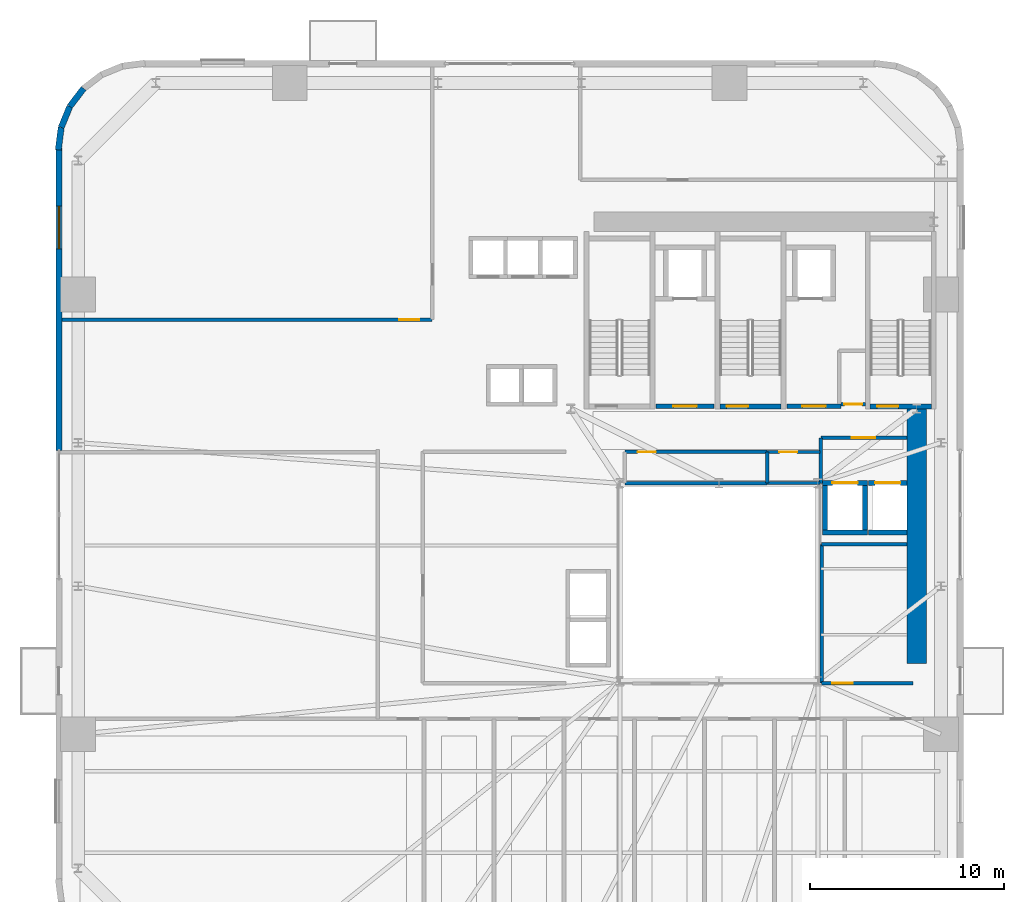
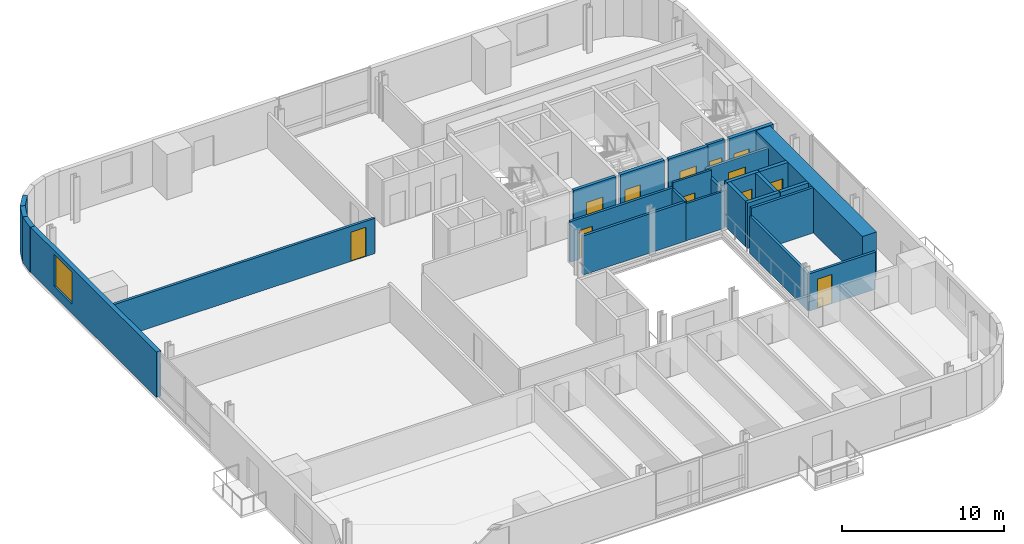
# One storey, part 7 of 12: 27 walls, 12 doors, 1 window, 13 openings.
"""IFC4 building model written with IfcOpenShell, lengths in metres."""

import ifcopenshell
import ifcopenshell.guid

model = None  # the IFC model being written
_history = None  # IfcOwnerHistory: only IFC2X3 demands one
_inside = {}  # id of a spatial element -> (the spatial element, [elements in it])
_under = {}  # id of a project, library or spatial element -> (it, [spatial elements below it])
_declared = {}  # id of a project -> (the project, [libraries it declares])
_typed = {}  # id of a type object -> (the type object, [elements of that type])
_made_of = {}  # id of a material, layer set ... -> (it, [elements and type objects made of it])


def new_model(schema):
    """Start an empty IFC model of exactly this schema.

    Asked for "IFC4X3", IfcOpenShell would pick the latest addendum, in which some entities
    have other attributes; the version numbers below select the first issue.
    IFC2X3 requires an IfcOwnerHistory on every rooted entity: one is made here for all.
    """
    global model, _history
    if schema == "IFC4X3":
        model = ifcopenshell.file(schema_version=(4, 3, 0, 0))
    else:
        model = ifcopenshell.file(schema=schema)
    _inside.clear()
    _under.clear()
    _declared.clear()
    _typed.clear()
    _made_of.clear()
    _history = None
    if model.schema == "IFC2X3":
        org = make("IfcOrganization", Name="unknown")
        user = make(
            "IfcPersonAndOrganization",
            ThePerson=make("IfcPerson", FamilyName="unknown"),
            TheOrganization=org,
        )
        app = make(
            "IfcApplication",
            ApplicationDeveloper=org,
            Version="unknown",
            ApplicationFullName="unknown",
            ApplicationIdentifier="unknown",
        )
        _history = make(
            "IfcOwnerHistory",
            OwningUser=user,
            OwningApplication=app,
            ChangeAction="ADDED",
            CreationDate=0,
        )
    return model


def make(cls, **values):
    """One entity of the class cls with the attributes given. An attribute that is None is left unset."""
    return model.create_entity(
        cls, **{name: value for name, value in values.items() if value is not None}
    )


def rooted(cls, **values):
    """An entity with a GlobalId (a new one), such as an element, a storey or a relation."""
    return make(cls, GlobalId=ifcopenshell.guid.new(), OwnerHistory=_history, **values)


def si_unit(unit_type, name, prefix=None):
    """IfcSIUnit, for example si_unit("LENGTHUNIT", "METRE", prefix="MILLI")."""
    return make("IfcSIUnit", UnitType=unit_type, Prefix=prefix, Name=name)


def assignment(units):
    """IfcUnitAssignment: the units of a project."""
    return None if units is None else make("IfcUnitAssignment", Units=units)


def point(xyz):
    """IfcCartesianPoint."""
    return None if xyz is None else make("IfcCartesianPoint", Coordinates=xyz)


def direction(xyz):
    """IfcDirection."""
    return None if xyz is None else make("IfcDirection", DirectionRatios=xyz)


def frame(location, z_axis=None, x_axis=None):
    """IfcAxis2Placement3D, a coordinate frame: its origin and axes. An axis left out is left unset."""
    return make(
        "IfcAxis2Placement3D",
        Location=point(location),
        Axis=direction(z_axis),
        RefDirection=direction(x_axis),
    )


def frame_2d(location, x_axis=None):
    """IfcAxis2Placement2D, a coordinate frame in the plane: its origin and x axis."""
    return make(
        "IfcAxis2Placement2D", Location=point(location), RefDirection=direction(x_axis)
    )


def origin():
    """The frame at (0, 0, 0) with its axes left unset."""
    return frame((0.0, 0.0, 0.0))


def place(relative_to, where):
    """IfcLocalPlacement: puts the frame where relative to a parent placement (None: the world)."""
    return make(
        "IfcLocalPlacement", PlacementRelTo=relative_to, RelativePlacement=where
    )


def context(
    kind, dimensions, precision=None, world=None, true_north=None, identifier=None
):
    """IfcGeometricRepresentationContext, for example the 3D "Model" context."""
    return make(
        "IfcGeometricRepresentationContext",
        ContextIdentifier=identifier,
        ContextType=kind,
        CoordinateSpaceDimension=dimensions,
        Precision=precision,
        WorldCoordinateSystem=world,
        TrueNorth=true_north,
    )


def subcontext(parent, identifier, kind, view, scale=None):
    """IfcGeometricRepresentationSubContext, for example "Body" below "Model"."""
    return make(
        "IfcGeometricRepresentationSubContext",
        ContextIdentifier=identifier,
        ContextType=kind,
        ParentContext=parent,
        TargetScale=scale,
        TargetView=view,
    )


def project(units=None, contexts=None):
    """IfcProject with its units and contexts."""
    return rooted(
        "IfcProject",
        Name="project",
        RepresentationContexts=contexts,
        UnitsInContext=assignment(units),
    )


def spatial(cls, under=None, at=None, **own):
    """A site, building, storey or space (cls), placed at a placement, below another one or the project."""
    s = rooted(cls, ObjectPlacement=at, **own)
    if under is not None:
        _under.setdefault(under.id(), (under, []))[1].append(s)
    return s


def profile(cls, at=None, kind="AREA", **sizes):
    """A parametric profile (cls). Its sizes go by their IFC names, for example OverallWidth=200.0."""
    return make(cls, ProfileType=kind, Position=at, **sizes)


def rectangle(**sizes):
    """IfcRectangleProfileDef."""
    return profile("IfcRectangleProfileDef", **sizes)


def extrude(swept, where, along, depth):
    """IfcExtrudedAreaSolid: the profile swept, set in the frame where, extruded along a direction by depth."""
    return make(
        "IfcExtrudedAreaSolid",
        SweptArea=swept,
        Position=where,
        ExtrudedDirection=direction(along),
        Depth=depth,
    )


def shape(context_of_items, identifier, shape_type, items):
    """IfcShapeRepresentation: the items that make up one representation, for example the "Body"."""
    return make(
        "IfcShapeRepresentation",
        ContextOfItems=context_of_items,
        RepresentationIdentifier=identifier,
        RepresentationType=shape_type,
        Items=items,
    )


def source(mapping_origin, context_of_items, identifier, shape_type, items):
    """IfcRepresentationMap: a shape defined once, which mapped items show again and again."""
    return make(
        "IfcRepresentationMap",
        MappingOrigin=mapping_origin,
        MappedRepresentation=shape(context_of_items, identifier, shape_type, items),
    )


def transform(
    local_origin,
    x_axis=None,
    y_axis=None,
    z_axis=None,
    scale=None,
    scale2=None,
    scale3=None,
    uniform=True,
):
    """IfcCartesianTransformationOperator3D, or its non-uniform kind. x_axis, y_axis, z_axis: its Axis1, 2, 3."""
    if uniform:
        return make(
            "IfcCartesianTransformationOperator3D",
            Axis1=direction(x_axis),
            Axis2=direction(y_axis),
            LocalOrigin=point(local_origin),
            Scale=scale,
            Axis3=direction(z_axis),
        )
    return make(
        "IfcCartesianTransformationOperator3DnonUniform",
        Axis1=direction(x_axis),
        Axis2=direction(y_axis),
        LocalOrigin=point(local_origin),
        Scale=scale,
        Axis3=direction(z_axis),
        Scale2=scale2,
        Scale3=scale3,
    )


def mapped(mapping_source, mapping_target):
    """IfcMappedItem: shows the shape of a source again, moved by a transform."""
    return make(
        "IfcMappedItem", MappingSource=mapping_source, MappingTarget=mapping_target
    )


def material(Name=None, Category=None):
    """IfcMaterial."""
    return make("IfcMaterial", Name=Name, Category=Category)


def layer(
    of_material, thickness, ventilated=None, Name=None, Category=None, Priority=None
):
    """IfcMaterialLayer: one layer of a wall or slab, of a material (None: an air gap)."""
    return make(
        "IfcMaterialLayer",
        Material=of_material,
        LayerThickness=thickness,
        IsVentilated=ventilated,
        Name=Name,
        Category=Category,
        Priority=Priority,
    )


def layer_set(layers, Name=None):
    """IfcMaterialLayerSet."""
    return make("IfcMaterialLayerSet", MaterialLayers=layers, LayerSetName=Name)


def made_of(thing, what):
    """Note that an element or type object is made of a material, layer set ...; save() writes the relation."""
    if what is not None:
        _made_of.setdefault(what.id(), (what, []))[1].append(thing)
    return thing


def type_object(cls, material=None, **own):
    """A type object (cls), such as IfcWallType, which elements share."""
    return made_of(rooted(cls, **own), material)


def element(
    cls,
    number,
    at=None,
    inside=None,
    cuts=None,
    type_object=None,
    material=None,
    context=None,
    identifier="Body",
    shape_type=None,
    held_by="IfcProductDefinitionShape",
    body=None,
    shapes=None,
    **own,
):
    """One element of the class cls, such as IfcWall. Its Tag is "e" and its number.

    at: its placement. inside: the storey or other place that contains it. cuts: it is an
    opening in that element (IfcRelVoidsElement). A single representation is given by context,
    identifier, shape_type and body (its items); several are given by shapes. held_by: the class
    of the entity that holds the representations. save() writes the other relations.
    """
    e = rooted(cls, Tag="e%d" % number, ObjectPlacement=at, **own)
    if body is not None:
        shapes = [shape(context, identifier, shape_type, body)]
    if shapes is not None:
        e.Representation = make(held_by, Representations=shapes)
    if inside is not None:
        _inside.setdefault(inside.id(), (inside, []))[1].append(e)
    if cuts is not None:
        rooted(
            "IfcRelVoidsElement", RelatingBuildingElement=cuts, RelatedOpeningElement=e
        )
    if type_object is not None:
        _typed.setdefault(type_object.id(), (type_object, []))[1].append(e)
    return made_of(e, material)


def fill(opening, filler):
    """IfcRelFillsElement: the door or window that sits in an opening."""
    return rooted(
        "IfcRelFillsElement",
        RelatingOpeningElement=opening,
        RelatedBuildingElement=filler,
    )


def aggregate(whole, parts):
    """IfcRelAggregates: a whole, such as a stair, and the parts it consists of."""
    return rooted("IfcRelAggregates", RelatingObject=whole, RelatedObjects=parts)


def save(model, path):
    """Write the relations noted so far, then the file.

    IfcRelAggregates (storeys below a building ...), IfcRelContainedInSpatialStructure (elements
    in a storey), IfcRelDefinesByType, IfcRelAssociatesMaterial and IfcRelDeclares: one each for
    every whole, place, type object, material and project.
    """
    for whole, parts in _under.values():
        aggregate(whole, parts)
    for where, things in _inside.values():
        rooted(
            "IfcRelContainedInSpatialStructure",
            RelatedElements=things,
            RelatingStructure=where,
        )
    for kind, things in _typed.values():
        rooted("IfcRelDefinesByType", RelatedObjects=things, RelatingType=kind)
    for what, things in _made_of.values():
        rooted("IfcRelAssociatesMaterial", RelatedObjects=things, RelatingMaterial=what)
    for by, libraries in _declared.values():
        rooted("IfcRelDeclares", RelatingContext=by, RelatedDefinitions=libraries)
    model.write(path)


model = new_model("IFC4")

# Units and contexts
model_context = context("Model", 3, precision=1e-05, world=origin(), true_north=direction((0.0, 1.0)))
body_context = subcontext(model_context, "Body", "Model", "MODEL_VIEW")
ifc_project = project(units=[si_unit("LENGTHUNIT", "METRE"), si_unit("AREAUNIT", "SQUARE_METRE"), si_unit("VOLUMEUNIT", "CUBIC_METRE"), si_unit("PLANEANGLEUNIT", "RADIAN"), si_unit("MASSUNIT", "GRAM", prefix="KILO")], contexts=[model_context])

# Site, building, storey
site_placement = place(None, origin())
site = spatial("IfcSite", under=ifc_project, at=site_placement, CompositionType="ELEMENT")
building_placement = place(site_placement, origin())
building = spatial("IfcBuilding", under=site, at=building_placement, Name="Vardaveli Station Tower", CompositionType="ELEMENT")
storey_placement = place(building_placement, frame((0.0, 0.0, 60.449951171875)))
storey = spatial("IfcBuildingStorey", under=building, at=storey_placement, Name="L15", CompositionType="ELEMENT", Elevation=60.449951171875)

# Wall
ifc_material_1 = material(Name="Concrete C60/75", Category="concrete")
ifc_layer_1 = layer(ifc_material_1, 1.0, Name="Concrete C60/75")
ifc_layer_set_1 = layer_set([ifc_layer_1], Name="Concrete C60/75")
wall_type_1 = type_object("IfcWallType", Name="WAL-CORE-1000", PredefinedType="SHEAR", material=ifc_layer_set_1)
shared_shape_1 = source(origin(), body_context, "Body", "SweptSolid", [
    extrude(rectangle(XDim=13.14990234375, YDim=1.0, at=frame_2d((6.574951171875, 0.0))), origin(), (0.0, 0.0, 1.0), 3.41015625),
])
wall_1_placement = place(storey_placement, frame((46.5, 17.5, 0.0), z_axis=(0.0, 0.0, 1.0), x_axis=(0.0, 1.0, 0.0)))
element("IfcWall", 1, at=wall_1_placement, inside=storey, type_object=wall_type_1, Name="SW-L15-EAST2", PredefinedType="SHEAR", context=body_context, shape_type="MappedRepresentation", body=[
    mapped(shared_shape_1, transform((0.0, 0.0, 0.0), scale=1.0)),
])

# Wall, opening, window
ifc_material_2 = material(Name="Precast concrete C45/55", Category="concrete")
ifc_layer_2 = layer(ifc_material_2, 0.320068359375, Name="Precast concrete C45/55")
ifc_layer_set_2 = layer_set([ifc_layer_2], Name="Precast concrete C45/55")
wall_type_2 = type_object("IfcWallType", Name="WAL-EXT-STONE-320", PredefinedType="SOLIDWALL", material=ifc_layer_set_2)
shared_shape_2 = source(origin(), body_context, "Body", "SweptSolid", [
    extrude(rectangle(XDim=15.60009765625, YDim=0.320068359375, at=frame_2d((7.800048828125, 0.0))), origin(), (0.0, 0.0, 1.0), 3.41015625),
])
wall_2_placement = place(storey_placement, frame((2.260009765625, 44.10009765625, 0.0), z_axis=(0.0, 0.0, 1.0), x_axis=(0.0, -1.0, 0.0)))
wall_2 = element("IfcWall", 2, at=wall_2_placement, inside=storey, type_object=wall_type_2, Name="EW-L15-W1", PredefinedType="SOLIDWALL", context=body_context, shape_type="MappedRepresentation", body=[
    mapped(shared_shape_2, transform((0.0, 0.0, 0.0), scale=1.0)),
])
shared_shape_3 = source(origin(), body_context, "Body", "SweptSolid", [
    extrude(rectangle(XDim=2.199951171875, YDim=2.39990234375, at=frame_2d((1.10009765625, 1.199951171875))), frame((0.0, 0.169921875, 0.0), z_axis=(0.0, -1.0, 0.0), x_axis=(1.0, 0.0, 0.0)), (0.0, 0.0, 1.0), 0.340087890625),
])
opening_1_placement = place(wall_2_placement, frame((3.0048828125, 0.0, 0.719970703125)))
opening_1 = element("IfcOpeningElement", 3, at=opening_1_placement, cuts=wall_2, Name="Opening W-03", PredefinedType="OPENING", context=body_context, shape_type="MappedRepresentation", body=[
    mapped(shared_shape_3, transform((0.0, 0.0, 0.0), scale=1.0)),
])
ifc_material_3 = material(Name="Low-E solar-control glass", Category="glass")
window_type = type_object("IfcWindowType", Name="WIN-LOG-2200x2400", PartitioningType="SINGLE_PANEL", PredefinedType="WINDOW", material=ifc_material_3)
shared_shape_4 = source(origin(), body_context, "Body", "SweptSolid", [
    extrude(rectangle(XDim=2.199951171875, YDim=2.39990234375, at=frame_2d((1.10009765625, 1.199951171875))), frame((0.0, 0.030029296875, 0.0), z_axis=(0.0, -1.0, 0.0), x_axis=(1.0, 0.0, 0.0)), (0.0, 0.0, 1.0), 0.06005859375),
])
window_placement = place(opening_1_placement, origin())
window = element("IfcWindow", 4, at=window_placement, inside=storey, type_object=window_type, Name="WN-L15-W1", OverallHeight=2.39990234375, OverallWidth=2.199951171875, PartitioningType="SINGLE_PANEL", PredefinedType="WINDOW", context=body_context, shape_type="MappedRepresentation", body=[
    mapped(shared_shape_4, transform((0.0, 0.0, 0.0), scale=1.0)),
])
fill(opening_1, window)

# Walls
shared_shape_5 = source(origin(), body_context, "Body", "SweptSolid", [
    extrude(rectangle(XDim=1.1689453125, YDim=0.320068359375, at=frame_2d((0.58447265625, 0.0))), origin(), (0.0, 0.0, 1.0), 3.41015625),
])
wall_3_placement = place(storey_placement, frame((3.53125, 47.1689453125, 0.0), z_axis=(0.0, 0.0, 1.0), x_axis=(-0.608387696831, -0.793639975269, 0.0)))
element("IfcWall", 5, at=wall_3_placement, inside=storey, type_object=wall_type_2, Name="EW-L15-CR4-4", PredefinedType="SOLIDWALL", context=body_context, shape_type="MappedRepresentation", body=[
    mapped(shared_shape_5, transform((0.0, 0.0, 0.0), scale=1.0)),
])
shared_shape_6 = source(origin(), body_context, "Body", "SweptSolid", [
    extrude(rectangle(XDim=1.17041015625, YDim=0.320068359375, at=frame_2d((0.585205078125, 0.0))), origin(), (0.0, 0.0, 1.0), 3.41015625),
])
wall_4_placement = place(storey_placement, frame((2.37451171875, 45.16015625, 0.0), z_axis=(0.0, 0.0, 1.0), x_axis=(-0.128295670475, -0.991735963317, 0.0)))
element("IfcWall", 6, at=wall_4_placement, inside=storey, type_object=wall_type_2, Name="EW-L15-CR4-6", PredefinedType="SOLIDWALL", context=body_context, shape_type="MappedRepresentation", body=[
    mapped(shared_shape_6, transform((0.0, 0.0, 0.0), scale=1.0)),
])
shared_shape_7 = source(origin(), body_context, "Body", "SweptSolid", [
    extrude(rectangle(XDim=1.169189453125, YDim=0.320068359375, at=frame_2d((0.58447265625, 0.0))), origin(), (0.0, 0.0, 1.0), 3.41015625),
])
wall_5_placement = place(storey_placement, frame((2.820068359375, 46.2412109375, 0.0), z_axis=(0.0, 0.0, 1.0), x_axis=(-0.381054331552, -0.924552646638, 0.0)))
element("IfcWall", 7, at=wall_5_placement, inside=storey, type_object=wall_type_2, Name="EW-L15-CR4-5", PredefinedType="SOLIDWALL", context=body_context, shape_type="MappedRepresentation", body=[
    mapped(shared_shape_7, transform((0.0, 0.0, 0.0), scale=1.0)),
])

# Wall, opening, door
ifc_material_4 = material(Name="Concrete C40/50", Category="concrete")
ifc_layer_3 = layer(ifc_material_4, 0.25, Name="Concrete C40/50")
ifc_layer_set_3 = layer_set([ifc_layer_3], Name="Concrete C40/50")
wall_type_3 = type_object("IfcWallType", Name="WAL-SHAFT-250", PredefinedType="SOLIDWALL", material=ifc_layer_set_3)
shared_shape_8 = source(origin(), body_context, "Body", "SweptSolid", [
    extrude(rectangle(XDim=3.14990234375, YDim=0.25, at=frame_2d((1.574951171875, 0.0))), origin(), (0.0, 0.0, 1.0), 3.449951171875),
])
wall_6_placement = place(storey_placement, frame((36.35009765625, 30.77490234375, 0.0), z_axis=(0.0, 0.0, 1.0), x_axis=(1.0, 0.0, 0.0)))
wall_6 = element("IfcWall", 8, at=wall_6_placement, inside=storey, type_object=wall_type_3, Name="W-L15-ST-2S", PredefinedType="SOLIDWALL", context=body_context, shape_type="MappedRepresentation", body=[
    mapped(shared_shape_8, transform((0.0, 0.0, 0.0), scale=1.0)),
])
shared_shape_9 = source(origin(), body_context, "Body", "SweptSolid", [
    extrude(rectangle(XDim=1.10009765625, YDim=2.199951171875, at=frame_2d((0.550048828125, 1.10009765625))), frame((0.0, 0.135009765625, 0.0), z_axis=(0.0, -1.0, 0.0), x_axis=(1.0, 0.0, 0.0)), (0.0, 0.0, 1.0), 0.27001953125),
])
opening_2_placement = place(wall_6_placement, frame((0.35009765625, 0.0, 0.0)))
opening_2 = element("IfcOpeningElement", 9, at=opening_2_placement, cuts=wall_6, Name="Opening D-04", PredefinedType="OPENING", context=body_context, shape_type="MappedRepresentation", body=[
    mapped(shared_shape_9, transform((0.0, 0.0, 0.0), scale=1.0)),
])
ifc_material_5 = material(Name="Steel smokeproof fire doorset", Category="steel")
door_type_1 = type_object("IfcDoorType", Name="DR-ST-1100x2200", OperationType="NOTDEFINED", PredefinedType="DOOR", material=ifc_material_5)
shared_shape_10 = source(origin(), body_context, "Body", "SweptSolid", [
    extrude(rectangle(XDim=1.10009765625, YDim=2.199951171875, at=frame_2d((0.550048828125, 1.10009765625))), frame((0.0, 0.02490234375, 0.0), z_axis=(0.0, -1.0, 0.0), x_axis=(1.0, 0.0, 0.0)), (0.0, 0.0, 1.0), 0.050048828125),
])
door_1_placement = place(opening_2_placement, origin())
door_1 = element("IfcDoor", 10, at=door_1_placement, inside=storey, type_object=door_type_1, Name="DST-2-L15", OperationType="SINGLE_SWING_LEFT", OverallHeight=2.199951171875, OverallWidth=1.10009765625, PredefinedType="DOOR", context=body_context, shape_type="MappedRepresentation", body=[
    mapped(shared_shape_10, transform((0.0, 0.0, 0.0), scale=1.0)),
])
fill(opening_2, door_1)

wall_7_placement = place(storey_placement, frame((44.10009765625, 30.77490234375, 0.0), z_axis=(0.0, 0.0, 1.0), x_axis=(1.0, 0.0, 0.0)))
wall_7 = element("IfcWall", 11, at=wall_7_placement, inside=storey, type_object=wall_type_3, Name="W-L15-ST-3S", PredefinedType="SOLIDWALL", context=body_context, shape_type="MappedRepresentation", body=[
    mapped(shared_shape_8, transform((0.0, 0.0, 0.0), scale=1.0)),
])
opening_3_placement = place(wall_7_placement, frame((0.35009765625, 0.0, 0.0)))
opening_3 = element("IfcOpeningElement", 12, at=opening_3_placement, cuts=wall_7, Name="Opening D-04", PredefinedType="OPENING", context=body_context, shape_type="MappedRepresentation", body=[
    mapped(shared_shape_9, transform((0.0, 0.0, 0.0), scale=1.0)),
])
door_2_placement = place(opening_3_placement, origin())
door_2 = element("IfcDoor", 13, at=door_2_placement, inside=storey, type_object=door_type_1, Name="DST-3-L15", OperationType="SINGLE_SWING_LEFT", OverallHeight=2.199951171875, OverallWidth=1.10009765625, PredefinedType="DOOR", context=body_context, shape_type="MappedRepresentation", body=[
    mapped(shared_shape_10, transform((0.0, 0.0, 0.0), scale=1.0)),
])
fill(opening_3, door_2)

ifc_layer_4 = layer(ifc_material_4, 0.219970703125, Name="Concrete C40/50")
ifc_layer_set_4 = layer_set([ifc_layer_4], Name="Concrete C40/50")
wall_type_4 = type_object("IfcWallType", Name="WAL-FFLOBBY-220", PredefinedType="SOLIDWALL", material=ifc_layer_set_4)
shared_shape_11 = source(origin(), body_context, "Body", "SweptSolid", [
    extrude(rectangle(XDim=3.0, YDim=0.219970703125, at=frame_2d((1.5, 0.0))), origin(), (0.0, 0.0, 1.0), 3.41015625),
])
wall_8_placement = place(storey_placement, frame((33.050048828125, 30.780029296875, 0.0), z_axis=(0.0, 0.0, 1.0), x_axis=(1.0, 0.0, 0.0)))
wall_8 = element("IfcWall", 14, at=wall_8_placement, inside=storey, type_object=wall_type_4, Name="W-L15-FFL1S", PredefinedType="SOLIDWALL", context=body_context, shape_type="MappedRepresentation", body=[
    mapped(shared_shape_11, transform((0.0, 0.0, 0.0), scale=1.0)),
])
shared_shape_12 = source(origin(), body_context, "Body", "SweptSolid", [
    extrude(rectangle(XDim=1.199951171875, YDim=2.199951171875, at=frame_2d((0.60009765625, 1.10009765625))), frame((0.0, 0.1201171875, 0.0), z_axis=(0.0, -1.0, 0.0), x_axis=(1.0, 0.0, 0.0)), (0.0, 0.0, 1.0), 0.239990234375),
])
opening_4_placement = place(wall_8_placement, frame((0.89990234375, 0.0, 0.0)))
opening_4 = element("IfcOpeningElement", 15, at=opening_4_placement, cuts=wall_8, Name="Opening D-03", PredefinedType="OPENING", context=body_context, shape_type="MappedRepresentation", body=[
    mapped(shared_shape_12, transform((0.0, 0.0, 0.0), scale=1.0)),
])
door_type_2 = type_object("IfcDoorType", Name="DR-FFL-1200x2200", OperationType="NOTDEFINED", PredefinedType="DOOR", material=ifc_material_5)
shared_shape_13 = source(origin(), body_context, "Body", "SweptSolid", [
    extrude(rectangle(XDim=1.199951171875, YDim=2.199951171875, at=frame_2d((0.60009765625, 1.10009765625))), frame((0.0, 0.02490234375, 0.0), z_axis=(0.0, -1.0, 0.0), x_axis=(1.0, 0.0, 0.0)), (0.0, 0.0, 1.0), 0.050048828125),
])
door_3_placement = place(opening_4_placement, origin())
door_3 = element("IfcDoor", 16, at=door_3_placement, inside=storey, type_object=door_type_2, Name="DFFL1-L15", OperationType="SINGLE_SWING_LEFT", OverallHeight=2.199951171875, OverallWidth=1.199951171875, PredefinedType="DOOR", context=body_context, shape_type="MappedRepresentation", body=[
    mapped(shared_shape_13, transform((0.0, 0.0, 0.0), scale=1.0)),
])
fill(opening_4, door_3)

shared_shape_14 = source(origin(), body_context, "Body", "SweptSolid", [
    extrude(rectangle(XDim=2.800048828125, YDim=0.219970703125, at=frame_2d((1.39990234375, 0.0))), origin(), (0.0, 0.0, 1.0), 3.41015625),
])
wall_9_placement = place(storey_placement, frame((39.800048828125, 30.780029296875, 0.0), z_axis=(0.0, 0.0, 1.0), x_axis=(1.0, 0.0, 0.0)))
wall_9 = element("IfcWall", 17, at=wall_9_placement, inside=storey, type_object=wall_type_4, Name="W-L15-FFL2S", PredefinedType="SOLIDWALL", context=body_context, shape_type="MappedRepresentation", body=[
    mapped(shared_shape_14, transform((0.0, 0.0, 0.0), scale=1.0)),
])
opening_5_placement = place(wall_9_placement, frame((0.800048828125, 0.0, 0.0)))
opening_5 = element("IfcOpeningElement", 18, at=opening_5_placement, cuts=wall_9, Name="Opening D-03", PredefinedType="OPENING", context=body_context, shape_type="MappedRepresentation", body=[
    mapped(shared_shape_12, transform((0.0, 0.0, 0.0), scale=1.0)),
])
door_4_placement = place(opening_5_placement, origin())
door_4 = element("IfcDoor", 19, at=door_4_placement, inside=storey, type_object=door_type_2, Name="DFFL2-L15", OperationType="SINGLE_SWING_RIGHT", OverallHeight=2.199951171875, OverallWidth=1.199951171875, PredefinedType="DOOR", context=body_context, shape_type="MappedRepresentation", body=[
    mapped(shared_shape_13, transform((0.0, 0.0, 0.0), scale=1.0)),
])
fill(opening_5, door_4)

# Wall
shared_shape_15 = source(origin(), body_context, "Body", "SweptSolid", [
    extrude(rectangle(XDim=2.300048828125, YDim=0.25, at=frame_2d((1.14990234375, 0.0))), origin(), (0.0, 0.0, 1.0), 3.41015625),
])
wall_10_placement = place(storey_placement, frame((41.64990234375, 24.27490234375, 0.0), z_axis=(0.0, 0.0, 1.0), x_axis=(1.0, 0.0, 0.0)))
element("IfcWall", 20, at=wall_10_placement, inside=storey, type_object=wall_type_3, Name="SHW-SRV-01-L15-S", PredefinedType="SOLIDWALL", context=body_context, shape_type="MappedRepresentation", body=[
    mapped(shared_shape_15, transform((0.0, 0.0, 0.0), scale=1.0)),
])

# Wall, opening, door
wall_11_placement = place(storey_placement, frame((41.64990234375, 26.824951171875, 0.0), z_axis=(0.0, 0.0, 1.0), x_axis=(1.0, 0.0, 0.0)))
wall_11 = element("IfcWall", 21, at=wall_11_placement, inside=storey, type_object=wall_type_3, Name="SHW-SRV-01-L15-N", PredefinedType="SOLIDWALL", context=body_context, shape_type="MappedRepresentation", body=[
    mapped(shared_shape_15, transform((0.0, 0.0, 0.0), scale=1.0)),
])
shared_shape_16 = source(origin(), body_context, "Body", "SweptSolid", [
    extrude(rectangle(XDim=1.300048828125, YDim=2.300048828125, at=frame_2d((0.64990234375, 1.14990234375))), frame((0.0, 0.135009765625, 0.0), z_axis=(0.0, -1.0, 0.0), x_axis=(1.0, 0.0, 0.0)), (0.0, 0.0, 1.0), 0.27001953125),
])
opening_6_placement = place(wall_11_placement, frame((0.5, 0.0, 0.0)))
opening_6 = element("IfcOpeningElement", 22, at=opening_6_placement, cuts=wall_11, Name="Opening LD-03", PredefinedType="OPENING", context=body_context, shape_type="MappedRepresentation", body=[
    mapped(shared_shape_16, transform((0.0, 0.0, 0.0), scale=1.0)),
])
ifc_material_6 = material(Name="Brushed stainless steel", Category="steel")
door_type_3 = type_object("IfcDoorType", Name="DR-LD-1300x2300", OperationType="DOUBLE_DOOR_SLIDING", PredefinedType="DOOR", material=ifc_material_6)
shared_shape_17 = source(origin(), body_context, "Body", "SweptSolid", [
    extrude(rectangle(XDim=1.300048828125, YDim=2.300048828125, at=frame_2d((0.64990234375, 1.14990234375))), frame((0.0, 0.02490234375, 0.0), z_axis=(0.0, -1.0, 0.0), x_axis=(1.0, 0.0, 0.0)), (0.0, 0.0, 1.0), 0.050048828125),
])
door_5_placement = place(opening_6_placement, origin())
door_5 = element("IfcDoor", 23, at=door_5_placement, inside=storey, type_object=door_type_3, Name="LD-SRV-01-L15", OperationType="DOUBLE_DOOR_SLIDING", OverallHeight=2.300048828125, OverallWidth=1.300048828125, PredefinedType="DOOR", context=body_context, shape_type="MappedRepresentation", body=[
    mapped(shared_shape_17, transform((0.0, 0.0, 0.0), scale=1.0)),
])
fill(opening_6, door_5)

# Walls
for number, where, z_axis, x_axis, name in (
    (24, (41.77490234375, 24.39990234375, 0.0), (0.0, 0.0, 1.0), (0.0, 1.0, 0.0), "SHW-SRV-01-L15-W"),
    (25, (43.824951171875, 24.39990234375, 0.0), (0.0, 0.0, 1.0), (0.0, 1.0, 0.0), "SHW-SRV-01-L15-E"),
):
    element("IfcWall", number, at=place(storey_placement, frame(where, z_axis=z_axis, x_axis=x_axis)), inside=storey, type_object=wall_type_3, Name=name, PredefinedType="SOLIDWALL", context=body_context, shape_type="MappedRepresentation", body=[
        mapped(shared_shape_15, transform((0.0, 0.0, 0.0), scale=1.0)),
    ])
shared_shape_18 = source(origin(), body_context, "Body", "SweptSolid", [
    extrude(rectangle(XDim=2.0, YDim=0.25, at=frame_2d((1.0, 0.0))), origin(), (0.0, 0.0, 1.0), 3.41015625),
])
wall_12_placement = place(storey_placement, frame((44.0, 24.27490234375, 0.0), z_axis=(0.0, 0.0, 1.0), x_axis=(1.0, 0.0, 0.0)))
element("IfcWall", 26, at=wall_12_placement, inside=storey, type_object=wall_type_3, Name="SHW-SRV-02-L15-S", PredefinedType="SOLIDWALL", context=body_context, shape_type="MappedRepresentation", body=[
    mapped(shared_shape_18, transform((0.0, 0.0, 0.0), scale=1.0)),
])

# Wall, opening, door
wall_13_placement = place(storey_placement, frame((44.0, 26.824951171875, 0.0), z_axis=(0.0, 0.0, 1.0), x_axis=(1.0, 0.0, 0.0)))
wall_13 = element("IfcWall", 27, at=wall_13_placement, inside=storey, type_object=wall_type_3, Name="SHW-SRV-02-L15-N", PredefinedType="SOLIDWALL", context=body_context, shape_type="MappedRepresentation", body=[
    mapped(shared_shape_18, transform((0.0, 0.0, 0.0), scale=1.0)),
])
opening_7_placement = place(wall_13_placement, frame((0.35009765625, 0.0, 0.0)))
opening_7 = element("IfcOpeningElement", 28, at=opening_7_placement, cuts=wall_13, Name="Opening LD-03", PredefinedType="OPENING", context=body_context, shape_type="MappedRepresentation", body=[
    mapped(shared_shape_16, transform((0.0, 0.0, 0.0), scale=1.0)),
])
door_6_placement = place(opening_7_placement, origin())
door_6 = element("IfcDoor", 29, at=door_6_placement, inside=storey, type_object=door_type_3, Name="LD-SRV-02-L15", OperationType="DOUBLE_DOOR_SLIDING", OverallHeight=2.300048828125, OverallWidth=1.300048828125, PredefinedType="DOOR", context=body_context, shape_type="MappedRepresentation", body=[
    mapped(shared_shape_17, transform((0.0, 0.0, 0.0), scale=1.0)),
])
fill(opening_7, door_6)

ifc_material_7 = material(Name="Fire-rated gypsum stud partition")
ifc_layer_5 = layer(ifc_material_7, 0.179931640625, Name="Fire-rated gypsum stud partition")
ifc_layer_set_5 = layer_set([ifc_layer_5], Name="Fire-rated gypsum stud partition")
wall_type_5 = type_object("IfcWallType", Name="WAL-CORR-180", PredefinedType="PARTITIONING", material=ifc_layer_set_5)
shared_shape_19 = source(origin(), body_context, "Body", "SweptSolid", [
    extrude(rectangle(XDim=7.330078125, YDim=0.179931640625, at=frame_2d((3.6650390625, 0.0))), origin(), (0.0, 0.0, 1.0), 3.0419921875),
])
wall_14_placement = place(storey_placement, frame((31.449951171875, 28.419921875, 0.0), z_axis=(0.0, 0.0, 1.0), x_axis=(1.0, 0.0, 0.0)))
wall_14 = element("IfcWall", 30, at=wall_14_placement, inside=storey, type_object=wall_type_5, Name="W-L15-HKP0-N", PredefinedType="PARTITIONING", context=body_context, shape_type="MappedRepresentation", body=[
    mapped(shared_shape_19, transform((0.0, 0.0, 0.0), scale=1.0)),
])
shared_shape_20 = source(origin(), body_context, "Body", "SweptSolid", [
    extrude(rectangle(XDim=0.949951171875, YDim=2.14990234375, at=frame_2d((0.47509765625, 1.074951171875))), frame((0.0, 0.10009765625, 0.0), z_axis=(0.0, -1.0, 0.0), x_axis=(1.0, 0.0, 0.0)), (0.0, 0.0, 1.0), 0.199951171875),
])
opening_8_placement = place(wall_14_placement, frame((0.64990234375, 0.0, 0.0)))
opening_8 = element("IfcOpeningElement", 31, at=opening_8_placement, cuts=wall_14, Name="Opening D-06", PredefinedType="OPENING", context=body_context, shape_type="MappedRepresentation", body=[
    mapped(shared_shape_20, transform((0.0, 0.0, 0.0), scale=1.0)),
])
ifc_material_8 = material(Name="Oak veneer acoustic fire door")
door_type_4 = type_object("IfcDoorType", Name="DR-GUEST-950x2150", OperationType="NOTDEFINED", PredefinedType="DOOR", material=ifc_material_8)
shared_shape_21 = source(origin(), body_context, "Body", "SweptSolid", [
    extrude(rectangle(XDim=0.949951171875, YDim=2.14990234375, at=frame_2d((0.47509765625, 1.074951171875))), frame((0.0, 0.02490234375, 0.0), z_axis=(0.0, -1.0, 0.0), x_axis=(1.0, 0.0, 0.0)), (0.0, 0.0, 1.0), 0.050048828125),
])
door_7_placement = place(opening_8_placement, origin())
door_7 = element("IfcDoor", 32, at=door_7_placement, inside=storey, type_object=door_type_4, Name="D-L15-HKP", OperationType="SINGLE_SWING_RIGHT", OverallHeight=2.14990234375, OverallWidth=0.949951171875, PredefinedType="DOOR", context=body_context, shape_type="MappedRepresentation", body=[
    mapped(shared_shape_21, transform((0.0, 0.0, 0.0), scale=1.0)),
])
fill(opening_8, door_7)

shared_shape_22 = source(origin(), body_context, "Body", "SweptSolid", [
    extrude(rectangle(XDim=4.447998046875, YDim=0.179931640625, at=frame_2d((2.22412109375, 0.0))), origin(), (0.0, 0.0, 1.0), 3.0419921875),
])
wall_15_placement = place(storey_placement, frame((41.550048828125, 29.14990234375, 0.0), z_axis=(0.0, 0.0, 1.0), x_axis=(1.0, 0.0, 0.0)))
wall_15 = element("IfcWall", 33, at=wall_15_placement, inside=storey, type_object=wall_type_5, Name="W-L15-SVFN", PredefinedType="PARTITIONING", context=body_context, shape_type="MappedRepresentation", body=[
    mapped(shared_shape_22, transform((0.0, 0.0, 0.0), scale=1.0)),
])
shared_shape_23 = source(origin(), body_context, "Body", "SweptSolid", [
    extrude(rectangle(XDim=1.199951171875, YDim=2.199951171875, at=frame_2d((0.60009765625, 1.10009765625))), frame((0.0, 0.10009765625, 0.0), z_axis=(0.0, -1.0, 0.0), x_axis=(1.0, 0.0, 0.0)), (0.0, 0.0, 1.0), 0.199951171875),
])
opening_9_placement = place(wall_15_placement, frame((1.60009765625, 0.0, 0.0)))
opening_9 = element("IfcOpeningElement", 34, at=opening_9_placement, cuts=wall_15, Name="Opening D-03", PredefinedType="OPENING", context=body_context, shape_type="MappedRepresentation", body=[
    mapped(shared_shape_23, transform((0.0, 0.0, 0.0), scale=1.0)),
])
door_8_placement = place(opening_9_placement, origin())
door_8 = element("IfcDoor", 35, at=door_8_placement, inside=storey, type_object=door_type_2, Name="D-L15-SVF", OperationType="SINGLE_SWING_LEFT", OverallHeight=2.199951171875, OverallWidth=1.199951171875, PredefinedType="DOOR", context=body_context, shape_type="MappedRepresentation", body=[
    mapped(shared_shape_13, transform((0.0, 0.0, 0.0), scale=1.0)),
])
fill(opening_9, door_8)

shared_shape_24 = source(origin(), body_context, "Body", "SweptSolid", [
    extrude(rectangle(XDim=4.699951171875, YDim=0.179931640625, at=frame_2d((2.35009765625, 0.0))), origin(), (0.0, 0.0, 1.0), 2.802001953125),
])
wall_16_placement = place(storey_placement, frame((41.60009765625, 16.5, 0.0), z_axis=(0.0, 0.0, 1.0), x_axis=(1.0, 0.0, 0.0)))
wall_16 = element("IfcWall", 36, at=wall_16_placement, inside=storey, type_object=wall_type_5, Name="W-L15-ATE-S", PredefinedType="PARTITIONING", context=body_context, shape_type="MappedRepresentation", body=[
    mapped(shared_shape_24, transform((0.0, 0.0, 0.0), scale=1.0)),
])
shared_shape_25 = source(origin(), body_context, "Body", "SweptSolid", [
    extrude(rectangle(XDim=1.050048828125, YDim=2.199951171875, at=frame_2d((0.52490234375, 1.10009765625))), frame((0.0, 0.10009765625, 0.0), z_axis=(0.0, -1.0, 0.0), x_axis=(1.0, 0.0, 0.0)), (0.0, 0.0, 1.0), 0.199951171875),
])
opening_10_placement = place(wall_16_placement, frame((0.550048828125, 0.0, 0.0)))
opening_10 = element("IfcOpeningElement", 37, at=opening_10_placement, cuts=wall_16, Name="Opening D-05", PredefinedType="OPENING", context=body_context, shape_type="MappedRepresentation", body=[
    mapped(shared_shape_25, transform((0.0, 0.0, 0.0), scale=1.0)),
])
ifc_material_9 = material(Name="Walnut veneer acoustic fire door")
door_type_5 = type_object("IfcDoorType", Name="DR-SUITE-1050x2200", OperationType="NOTDEFINED", PredefinedType="DOOR", material=ifc_material_9)
shared_shape_26 = source(origin(), body_context, "Body", "SweptSolid", [
    extrude(rectangle(XDim=1.050048828125, YDim=2.199951171875, at=frame_2d((0.52490234375, 1.10009765625))), frame((0.0, 0.02490234375, 0.0), z_axis=(0.0, -1.0, 0.0), x_axis=(1.0, 0.0, 0.0)), (0.0, 0.0, 1.0), 0.050048828125),
])
door_9_placement = place(opening_10_placement, origin())
door_9 = element("IfcDoor", 38, at=door_9_placement, inside=storey, type_object=door_type_5, Name="D-L15-ATE1", OperationType="SINGLE_SWING_RIGHT", OverallHeight=2.199951171875, OverallWidth=1.050048828125, PredefinedType="DOOR", context=body_context, shape_type="MappedRepresentation", body=[
    mapped(shared_shape_26, transform((0.0, 0.0, 0.0), scale=1.0)),
])
fill(opening_10, door_9)

# Walls
shared_shape_27 = source(origin(), body_context, "Body", "SweptSolid", [
    extrude(rectangle(XDim=7.14990234375, YDim=0.179931640625, at=frame_2d((3.574951171875, 0.0))), origin(), (0.0, 0.0, 1.0), 2.802001953125),
])
wall_17_placement = place(storey_placement, frame((41.60009765625, 16.5, 0.0), z_axis=(0.0, 0.0, 1.0), x_axis=(0.0, 1.0, 0.0)))
element("IfcWall", 39, at=wall_17_placement, inside=storey, type_object=wall_type_5, Name="W-L15-ATE-W", PredefinedType="PARTITIONING", context=body_context, shape_type="MappedRepresentation", body=[
    mapped(shared_shape_27, transform((0.0, 0.0, 0.0), scale=1.0)),
])
ifc_material_10 = material(Name="Moisture-resistant stud partition")
ifc_layer_6 = layer(ifc_material_10, 0.14990234375, Name="Moisture-resistant stud partition")
ifc_layer_set_6 = layer_set([ifc_layer_6], Name="Moisture-resistant stud partition")
wall_type_6 = type_object("IfcWallType", Name="WAL-WET-150", PredefinedType="PARTITIONING", material=ifc_layer_set_6)
shared_shape_28 = source(origin(), body_context, "Body", "SweptSolid", [
    extrude(rectangle(XDim=2.739990234375, YDim=0.14990234375, at=frame_2d((1.3701171875, 0.0))), origin(), (0.0, 0.0, 1.0), 2.802001953125),
])
wall_18_placement = place(storey_placement, frame((38.780029296875, 26.820068359375, 0.0), z_axis=(0.0, 0.0, 1.0), x_axis=(1.0, 0.0, 0.0)))
element("IfcWall", 40, at=wall_18_placement, inside=storey, type_object=wall_type_6, Name="W-L15-WCA0-S", PredefinedType="PARTITIONING", context=body_context, shape_type="MappedRepresentation", body=[
    mapped(shared_shape_28, transform((0.0, 0.0, 0.0), scale=1.0)),
])
shared_shape_29 = source(origin(), body_context, "Body", "SweptSolid", [
    extrude(rectangle(XDim=2.349853515625, YDim=0.179931640625, at=frame_2d((1.1748046875, 0.0))), origin(), (0.0, 0.0, 1.0), 2.802001953125),
])
wall_19_placement = place(storey_placement, frame((41.550048828125, 26.800048828125, 0.0), z_axis=(0.0, 0.0, 1.0), x_axis=(0.0, 1.0, 0.0)))
element("IfcWall", 41, at=wall_19_placement, inside=storey, type_object=wall_type_5, Name="W-L15-SVFW", PredefinedType="PARTITIONING", context=body_context, shape_type="MappedRepresentation", body=[
    mapped(shared_shape_29, transform((0.0, 0.0, 0.0), scale=1.0)),
])

# Wall, opening, door
shared_shape_30 = source(origin(), body_context, "Body", "SweptSolid", [
    extrude(rectangle(XDim=19.077880859375, YDim=0.179931640625, at=frame_2d((9.5390625, 0.0))), origin(), (0.0, 0.0, 1.0), 2.652099609375),
])
wall_20_placement = place(storey_placement, frame((2.422119140625, 35.25, 0.0), z_axis=(0.0, 0.0, 1.0), x_axis=(1.0, 0.0, 0.0)))
wall_20 = element("IfcWall", 42, at=wall_20_placement, inside=storey, type_object=wall_type_5, Name="W-L15-CNWS", PredefinedType="PARTITIONING", context=body_context, shape_type="MappedRepresentation", body=[
    mapped(shared_shape_30, transform((0.0, 0.0, 0.0), scale=1.0)),
])
opening_11_placement = place(wall_20_placement, frame((17.3779296875, 0.0, 0.0)))
opening_11 = element("IfcOpeningElement", 43, at=opening_11_placement, cuts=wall_20, Name="Opening D-05", PredefinedType="OPENING", context=body_context, shape_type="MappedRepresentation", body=[
    mapped(shared_shape_25, transform((0.0, 0.0, 0.0), scale=1.0)),
])
door_10_placement = place(opening_11_placement, origin())
door_10 = element("IfcDoor", 44, at=door_10_placement, inside=storey, type_object=door_type_5, Name="D-L15-GNW1", OperationType="SINGLE_SWING_LEFT", OverallHeight=2.199951171875, OverallWidth=1.050048828125, PredefinedType="DOOR", context=body_context, shape_type="MappedRepresentation", body=[
    mapped(shared_shape_26, transform((0.0, 0.0, 0.0), scale=1.0)),
])
fill(opening_11, door_10)

shared_shape_31 = source(origin(), body_context, "Body", "SweptSolid", [
    extrude(rectangle(XDim=1.247802734375, YDim=0.179931640625, at=frame_2d((0.6240234375, 0.0))), origin(), (0.0, 0.0, 1.0), 3.41015625),
])
wall_21_placement = place(storey_placement, frame((42.60009765625, 30.8798828125, 0.0), z_axis=(0.0, 0.0, 1.0), x_axis=(1.0, 0.0, 0.0)))
wall_21 = element("IfcWall", 45, at=wall_21_placement, inside=storey, type_object=wall_type_5, Name="W-L15-CBS0-S", PredefinedType="PARTITIONING", context=body_context, shape_type="MappedRepresentation", body=[
    mapped(shared_shape_31, transform((0.0, 0.0, 0.0), scale=1.0)),
])
shared_shape_32 = source(origin(), body_context, "Body", "SweptSolid", [
    extrude(rectangle(XDim=0.919921875, YDim=2.10009765625, at=frame_2d((0.4599609375, 1.050048828125))), frame((0.0, 0.10009765625, 0.0), z_axis=(0.0, -1.0, 0.0), x_axis=(1.0, 0.0, 0.0)), (0.0, 0.0, 1.0), 0.199951171875),
])
opening_12_placement = place(wall_21_placement, frame((0.1640625, 0.0, 0.0)))
opening_12 = element("IfcOpeningElement", 46, at=opening_12_placement, cuts=wall_21, Name="Opening D-07", PredefinedType="OPENING", context=body_context, shape_type="MappedRepresentation", body=[
    mapped(shared_shape_32, transform((0.0, 0.0, 0.0), scale=1.0)),
])
ifc_material_11 = material(Name="Moisture-resistant hardwood door", Category="wood")
door_type_6 = type_object("IfcDoorType", Name="DR-WC-920x2100", OperationType="NOTDEFINED", PredefinedType="DOOR", material=ifc_material_11)
shared_shape_33 = source(origin(), body_context, "Body", "SweptSolid", [
    extrude(rectangle(XDim=0.919921875, YDim=2.10009765625, at=frame_2d((0.4599609375, 1.050048828125))), frame((0.0, 0.02490234375, 0.0), z_axis=(0.0, -1.0, 0.0), x_axis=(1.0, 0.0, 0.0)), (0.0, 0.0, 1.0), 0.050048828125),
])
door_11_placement = place(opening_12_placement, origin())
door_11 = element("IfcDoor", 47, at=door_11_placement, inside=storey, type_object=door_type_6, Name="D-L15-CBS0", OperationType="SINGLE_SWING_LEFT", OverallHeight=2.10009765625, OverallWidth=0.919921875, PredefinedType="DOOR", context=body_context, shape_type="MappedRepresentation", body=[
    mapped(shared_shape_33, transform((0.0, 0.0, 0.0), scale=1.0)),
])
fill(opening_12, door_11)

# Walls
shared_shape_34 = source(origin(), body_context, "Body", "SweptSolid", [
    extrude(rectangle(XDim=4.39794921875, YDim=0.179931640625, at=frame_2d((2.198974609375, 0.0))), origin(), (0.0, 0.0, 1.0), 3.41015625),
])
wall_22_placement = place(storey_placement, frame((41.60009765625, 23.64990234375, 0.0), z_axis=(0.0, 0.0, 1.0), x_axis=(1.0, 0.0, 0.0)))
element("IfcWall", 48, at=wall_22_placement, inside=storey, type_object=wall_type_5, Name="W-L15-ATE-N", PredefinedType="PARTITIONING", context=body_context, shape_type="MappedRepresentation", body=[
    mapped(shared_shape_34, transform((0.0, 0.0, 0.0), scale=1.0)),
])
shared_shape_35 = source(origin(), body_context, "Body", "SweptSolid", [
    extrude(rectangle(XDim=1.599853515625, YDim=0.179931640625, at=frame_2d((0.7998046875, 0.0))), origin(), (0.0, 0.0, 1.0), 2.9521484375),
])
wall_23_placement = place(storey_placement, frame((38.780029296875, 26.820068359375, 0.0), z_axis=(0.0, 0.0, 1.0), x_axis=(0.0, 1.0, 0.0)))
element("IfcWall", 49, at=wall_23_placement, inside=storey, type_object=wall_type_5, Name="W-L15-HKP0-E", PredefinedType="PARTITIONING", context=body_context, shape_type="MappedRepresentation", body=[
    mapped(shared_shape_35, transform((0.0, 0.0, 0.0), scale=1.0)),
])

# Wall, opening, door
shared_shape_36 = source(origin(), body_context, "Body", "SweptSolid", [
    extrude(rectangle(XDim=2.739990234375, YDim=0.14990234375, at=frame_2d((1.3701171875, 0.0))), origin(), (0.0, 0.0, 1.0), 3.41015625),
])
wall_24_placement = place(storey_placement, frame((38.780029296875, 28.419921875, 0.0), z_axis=(0.0, 0.0, 1.0), x_axis=(1.0, 0.0, 0.0)))
wall_24 = element("IfcWall", 50, at=wall_24_placement, inside=storey, type_object=wall_type_6, Name="W-L15-WCA0-N", PredefinedType="PARTITIONING", context=body_context, shape_type="MappedRepresentation", body=[
    mapped(shared_shape_36, transform((0.0, 0.0, 0.0), scale=1.0)),
])
shared_shape_37 = source(origin(), body_context, "Body", "SweptSolid", [
    extrude(rectangle(XDim=0.919921875, YDim=2.10009765625, at=frame_2d((0.4599609375, 1.050048828125))), frame((0.0, 0.0849609375, 0.0), z_axis=(0.0, -1.0, 0.0), x_axis=(1.0, 0.0, 0.0)), (0.0, 0.0, 1.0), 0.169921875),
])
opening_13_placement = place(wall_24_placement, frame((0.6298828125, 0.0, 0.0)))
opening_13 = element("IfcOpeningElement", 51, at=opening_13_placement, cuts=wall_24, Name="Opening D-07", PredefinedType="OPENING", context=body_context, shape_type="MappedRepresentation", body=[
    mapped(shared_shape_37, transform((0.0, 0.0, 0.0), scale=1.0)),
])
door_12_placement = place(opening_13_placement, origin())
door_12 = element("IfcDoor", 52, at=door_12_placement, inside=storey, type_object=door_type_6, Name="D-L15-WCA", OperationType="SINGLE_SWING_LEFT", OverallHeight=2.10009765625, OverallWidth=0.919921875, PredefinedType="DOOR", context=body_context, shape_type="MappedRepresentation", body=[
    mapped(shared_shape_33, transform((0.0, 0.0, 0.0), scale=1.0)),
])
fill(opening_13, door_12)

# Wall
shared_shape_38 = source(origin(), body_context, "Body", "SweptSolid", [
    extrude(rectangle(XDim=7.330078125, YDim=0.179931640625, at=frame_2d((3.6650390625, 0.0))), origin(), (0.0, 0.0, 1.0), 2.9521484375),
])
wall_25_placement = place(storey_placement, frame((31.449951171875, 26.820068359375, 0.0), z_axis=(0.0, 0.0, 1.0), x_axis=(1.0, 0.0, 0.0)))
element("IfcWall", 53, at=wall_25_placement, inside=storey, type_object=wall_type_5, Name="W-L15-HKP0-S", PredefinedType="PARTITIONING", context=body_context, shape_type="MappedRepresentation", body=[
    mapped(shared_shape_38, transform((0.0, 0.0, 0.0), scale=1.0)),
])

save(model, "model.ifc")
